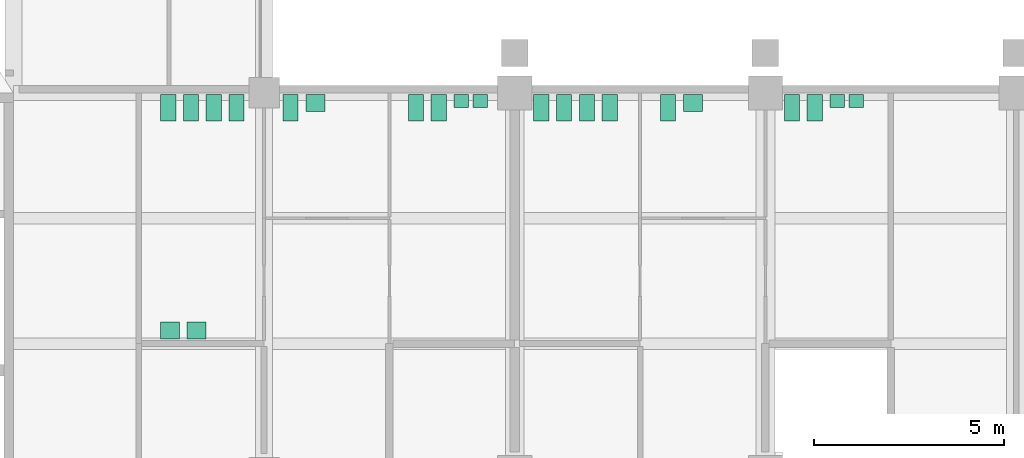
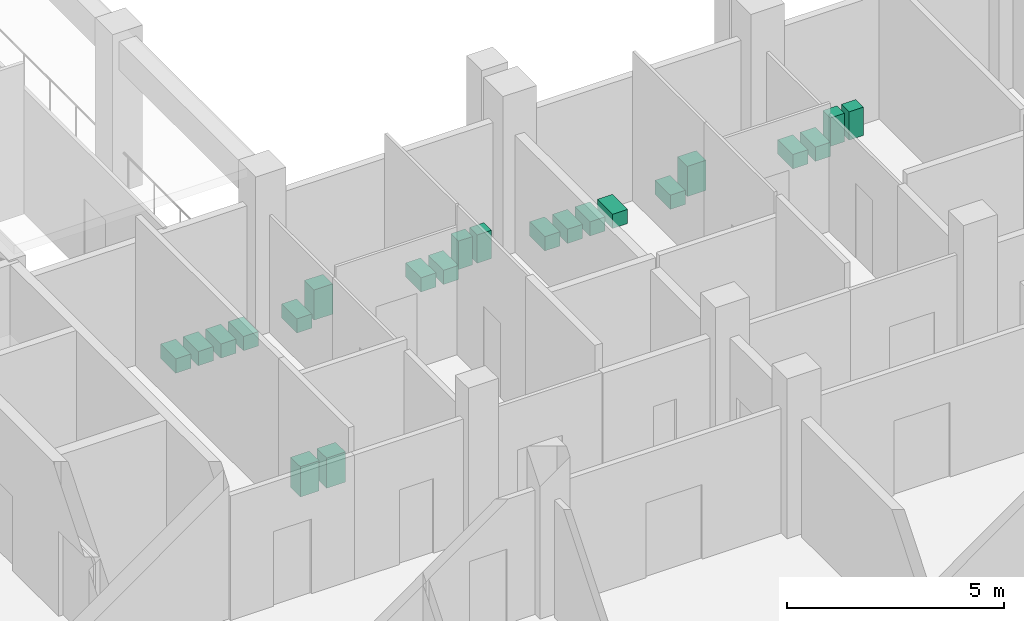
# One storey, part 87 of 87: 22 sanitary terminals.
"""IFC4 building model written with IfcOpenShell, lengths in metres."""

import ifcopenshell
import ifcopenshell.guid

model = None  # the IFC model being written
_history = None  # IfcOwnerHistory: only IFC2X3 demands one
_inside = {}  # id of a spatial element -> (the spatial element, [elements in it])
_under = {}  # id of a project, library or spatial element -> (it, [spatial elements below it])
_declared = {}  # id of a project -> (the project, [libraries it declares])
_typed = {}  # id of a type object -> (the type object, [elements of that type])
_made_of = {}  # id of a material, layer set ... -> (it, [elements and type objects made of it])


def new_model(schema):
    """Start an empty IFC model of exactly this schema.

    Asked for "IFC4X3", IfcOpenShell would pick the latest addendum, in which some entities
    have other attributes; the version numbers below select the first issue.
    IFC2X3 requires an IfcOwnerHistory on every rooted entity: one is made here for all.
    """
    global model, _history
    if schema == "IFC4X3":
        model = ifcopenshell.file(schema_version=(4, 3, 0, 0))
    else:
        model = ifcopenshell.file(schema=schema)
    _inside.clear()
    _under.clear()
    _declared.clear()
    _typed.clear()
    _made_of.clear()
    _history = None
    if model.schema == "IFC2X3":
        org = make("IfcOrganization", Name="unknown")
        user = make(
            "IfcPersonAndOrganization",
            ThePerson=make("IfcPerson", FamilyName="unknown"),
            TheOrganization=org,
        )
        app = make(
            "IfcApplication",
            ApplicationDeveloper=org,
            Version="unknown",
            ApplicationFullName="unknown",
            ApplicationIdentifier="unknown",
        )
        _history = make(
            "IfcOwnerHistory",
            OwningUser=user,
            OwningApplication=app,
            ChangeAction="ADDED",
            CreationDate=0,
        )
    return model


def make(cls, **values):
    """One entity of the class cls with the attributes given. An attribute that is None is left unset."""
    return model.create_entity(
        cls, **{name: value for name, value in values.items() if value is not None}
    )


def rooted(cls, **values):
    """An entity with a GlobalId (a new one), such as an element, a storey or a relation."""
    return make(cls, GlobalId=ifcopenshell.guid.new(), OwnerHistory=_history, **values)


def si_unit(unit_type, name, prefix=None):
    """IfcSIUnit, for example si_unit("LENGTHUNIT", "METRE", prefix="MILLI")."""
    return make("IfcSIUnit", UnitType=unit_type, Prefix=prefix, Name=name)


def assignment(units):
    """IfcUnitAssignment: the units of a project."""
    return None if units is None else make("IfcUnitAssignment", Units=units)


def point(xyz):
    """IfcCartesianPoint."""
    return None if xyz is None else make("IfcCartesianPoint", Coordinates=xyz)


def direction(xyz):
    """IfcDirection."""
    return None if xyz is None else make("IfcDirection", DirectionRatios=xyz)


def frame(location, z_axis=None, x_axis=None):
    """IfcAxis2Placement3D, a coordinate frame: its origin and axes. An axis left out is left unset."""
    return make(
        "IfcAxis2Placement3D",
        Location=point(location),
        Axis=direction(z_axis),
        RefDirection=direction(x_axis),
    )


def frame_2d(location, x_axis=None):
    """IfcAxis2Placement2D, a coordinate frame in the plane: its origin and x axis."""
    return make(
        "IfcAxis2Placement2D", Location=point(location), RefDirection=direction(x_axis)
    )


def origin():
    """The frame at (0, 0, 0) with its axes left unset."""
    return frame((0.0, 0.0, 0.0))


def origin_2d():
    """The frame at (0, 0) in the plane with its x axis left unset."""
    return frame_2d((0.0, 0.0))


def place(relative_to, where):
    """IfcLocalPlacement: puts the frame where relative to a parent placement (None: the world)."""
    return make(
        "IfcLocalPlacement", PlacementRelTo=relative_to, RelativePlacement=where
    )


def context(
    kind, dimensions, precision=None, world=None, true_north=None, identifier=None
):
    """IfcGeometricRepresentationContext, for example the 3D "Model" context."""
    return make(
        "IfcGeometricRepresentationContext",
        ContextIdentifier=identifier,
        ContextType=kind,
        CoordinateSpaceDimension=dimensions,
        Precision=precision,
        WorldCoordinateSystem=world,
        TrueNorth=true_north,
    )


def subcontext(parent, identifier, kind, view, scale=None):
    """IfcGeometricRepresentationSubContext, for example "Body" below "Model"."""
    return make(
        "IfcGeometricRepresentationSubContext",
        ContextIdentifier=identifier,
        ContextType=kind,
        ParentContext=parent,
        TargetScale=scale,
        TargetView=view,
    )


def project(units=None, contexts=None):
    """IfcProject with its units and contexts."""
    return rooted(
        "IfcProject",
        Name="project",
        RepresentationContexts=contexts,
        UnitsInContext=assignment(units),
    )


def spatial(cls, under=None, at=None, **own):
    """A site, building, storey or space (cls), placed at a placement, below another one or the project."""
    s = rooted(cls, ObjectPlacement=at, **own)
    if under is not None:
        _under.setdefault(under.id(), (under, []))[1].append(s)
    return s


def profile(cls, at=None, kind="AREA", **sizes):
    """A parametric profile (cls). Its sizes go by their IFC names, for example OverallWidth=200.0."""
    return make(cls, ProfileType=kind, Position=at, **sizes)


def rectangle(**sizes):
    """IfcRectangleProfileDef."""
    return profile("IfcRectangleProfileDef", **sizes)


def extrude(swept, where, along, depth):
    """IfcExtrudedAreaSolid: the profile swept, set in the frame where, extruded along a direction by depth."""
    return make(
        "IfcExtrudedAreaSolid",
        SweptArea=swept,
        Position=where,
        ExtrudedDirection=direction(along),
        Depth=depth,
    )


def shape(context_of_items, identifier, shape_type, items):
    """IfcShapeRepresentation: the items that make up one representation, for example the "Body"."""
    return make(
        "IfcShapeRepresentation",
        ContextOfItems=context_of_items,
        RepresentationIdentifier=identifier,
        RepresentationType=shape_type,
        Items=items,
    )


def made_of(thing, what):
    """Note that an element or type object is made of a material, layer set ...; save() writes the relation."""
    if what is not None:
        _made_of.setdefault(what.id(), (what, []))[1].append(thing)
    return thing


def element(
    cls,
    number,
    at=None,
    inside=None,
    cuts=None,
    type_object=None,
    material=None,
    context=None,
    identifier="Body",
    shape_type=None,
    held_by="IfcProductDefinitionShape",
    body=None,
    shapes=None,
    **own,
):
    """One element of the class cls, such as IfcWall. Its Tag is "e" and its number.

    at: its placement. inside: the storey or other place that contains it. cuts: it is an
    opening in that element (IfcRelVoidsElement). A single representation is given by context,
    identifier, shape_type and body (its items); several are given by shapes. held_by: the class
    of the entity that holds the representations. save() writes the other relations.
    """
    e = rooted(cls, Tag="e%d" % number, ObjectPlacement=at, **own)
    if body is not None:
        shapes = [shape(context, identifier, shape_type, body)]
    if shapes is not None:
        e.Representation = make(held_by, Representations=shapes)
    if inside is not None:
        _inside.setdefault(inside.id(), (inside, []))[1].append(e)
    if cuts is not None:
        rooted(
            "IfcRelVoidsElement", RelatingBuildingElement=cuts, RelatedOpeningElement=e
        )
    if type_object is not None:
        _typed.setdefault(type_object.id(), (type_object, []))[1].append(e)
    return made_of(e, material)


def aggregate(whole, parts):
    """IfcRelAggregates: a whole, such as a stair, and the parts it consists of."""
    return rooted("IfcRelAggregates", RelatingObject=whole, RelatedObjects=parts)


def save(model, path):
    """Write the relations noted so far, then the file.

    IfcRelAggregates (storeys below a building ...), IfcRelContainedInSpatialStructure (elements
    in a storey), IfcRelDefinesByType, IfcRelAssociatesMaterial and IfcRelDeclares: one each for
    every whole, place, type object, material and project.
    """
    for whole, parts in _under.values():
        aggregate(whole, parts)
    for where, things in _inside.values():
        rooted(
            "IfcRelContainedInSpatialStructure",
            RelatedElements=things,
            RelatingStructure=where,
        )
    for kind, things in _typed.values():
        rooted("IfcRelDefinesByType", RelatedObjects=things, RelatingType=kind)
    for what, things in _made_of.values():
        rooted("IfcRelAssociatesMaterial", RelatedObjects=things, RelatingMaterial=what)
    for by, libraries in _declared.values():
        rooted("IfcRelDeclares", RelatingContext=by, RelatedDefinitions=libraries)
    model.write(path)


model = new_model("IFC4")

# Units and contexts
model_context = context("Model", 3, precision=1e-05, world=origin(), true_north=direction((0.0, 1.0)))
body_context = subcontext(model_context, "Body", "Model", "MODEL_VIEW")
ifc_project = project(units=[si_unit("LENGTHUNIT", "METRE"), si_unit("AREAUNIT", "SQUARE_METRE"), si_unit("VOLUMEUNIT", "CUBIC_METRE"), si_unit("PLANEANGLEUNIT", "RADIAN"), si_unit("MASSUNIT", "GRAM", prefix="KILO")], contexts=[model_context])

# Site, building, storey
site_placement = place(None, origin())
site = spatial("IfcSite", under=ifc_project, at=site_placement, CompositionType="ELEMENT")
building_placement = place(site_placement, origin())
building = spatial("IfcBuilding", under=site, at=building_placement, Name="Lantern Court Research Institute", CompositionType="ELEMENT")
storey_placement = place(building_placement, frame((0.0, 0.0, 5.39990234375)))
storey = spatial("IfcBuildingStorey", under=building, at=storey_placement, Name="L01", CompositionType="ELEMENT", Elevation=5.39990234375)

# Sanitary terminals
for number, where, z_axis, x_axis, name in (
    (1, (43.675048828125, 22.7099609375, 0.000244140625), (0.0, 0.0, 1.0), (1.0, 0.0, 0.0), "WC pan W1.09"),
    (2, (44.27490234375, 22.7099609375, 0.000244140625), (0.0, 0.0, 1.0), (1.0, 0.0, 0.0), "WC pan W1.09"),
    (3, (44.875, 22.7099609375, 0.000244140625), (0.0, 0.0, 1.0), (1.0, 0.0, 0.0), "WC pan W1.09"),
    (4, (45.47509765625, 22.7099609375, 0.000244140625), (0.0, 0.0, 1.0), (1.0, 0.0, 0.0), "WC pan W1.09"),
):
    element("IfcSanitaryTerminal", number, at=place(storey_placement, frame(where, z_axis=z_axis, x_axis=x_axis)), inside=storey, Name=name, PredefinedType="TOILETPAN", context=body_context, shape_type="SweptSolid", body=[
        extrude(rectangle(XDim=0.39990234375, YDim=0.699951171875, at=origin_2d()), origin(), (0.0, 0.0, 1.0), 0.39990234375),
    ])
for number, where, z_axis, x_axis, name in (
    (5, (43.72509765625, 16.840087890625, 0.0), (0.0, 0.0, 1.0), (1.0, 0.0, 0.0), "Wash basin W1.09"),
    (6, (44.425048828125, 16.840087890625, 0.0), (0.0, 0.0, 1.0), (1.0, 0.0, 0.0), "Wash basin W1.09"),
):
    element("IfcSanitaryTerminal", number, at=place(storey_placement, frame(where, z_axis=z_axis, x_axis=x_axis)), inside=storey, Name=name, PredefinedType="WASHHANDBASIN", context=body_context, shape_type="SweptSolid", body=[
        extrude(rectangle(XDim=0.5, YDim=0.449951171875, at=origin_2d()), origin(), (0.0, 0.0, 1.0), 0.85009765625),
    ])
sanitary_terminal_1_placement = place(storey_placement, frame((46.89990234375, 22.7099609375, 0.000244140625), z_axis=(0.0, 0.0, 1.0), x_axis=(1.0, 0.0, 0.0)))
element("IfcSanitaryTerminal", 7, at=sanitary_terminal_1_placement, inside=storey, Name="WC pan W1.11", PredefinedType="TOILETPAN", context=body_context, shape_type="SweptSolid", body=[
    extrude(rectangle(XDim=0.39990234375, YDim=0.699951171875, at=origin_2d()), origin(), (0.0, 0.0, 1.0), 0.39990234375),
])
sanitary_terminal_2_placement = place(storey_placement, frame((47.550048828125, 22.8349609375, 0.0), z_axis=(0.0, 0.0, 1.0), x_axis=(1.0, 0.0, 0.0)))
element("IfcSanitaryTerminal", 8, at=sanitary_terminal_2_placement, inside=storey, Name="Wash basin W1.11", PredefinedType="WASHHANDBASIN", context=body_context, shape_type="SweptSolid", body=[
    extrude(rectangle(XDim=0.5, YDim=0.449951171875, at=origin_2d()), origin(), (0.0, 0.0, 1.0), 0.85009765625),
])
for number, where, z_axis, x_axis, name in (
    (9, (50.199951171875, 22.7099609375, 0.000244140625), (0.0, 0.0, 1.0), (1.0, 0.0, 0.0), "WC pan W1.13"),
    (10, (50.800048828125, 22.7099609375, 0.000244140625), (0.0, 0.0, 1.0), (1.0, 0.0, 0.0), "WC pan W1.13"),
):
    element("IfcSanitaryTerminal", number, at=place(storey_placement, frame(where, z_axis=z_axis, x_axis=x_axis)), inside=storey, Name=name, PredefinedType="TOILETPAN", context=body_context, shape_type="SweptSolid", body=[
        extrude(rectangle(XDim=0.39990234375, YDim=0.699951171875, at=origin_2d()), origin(), (0.0, 0.0, 1.0), 0.39990234375),
    ])
for number, where, z_axis, x_axis, name in (
    (11, (51.389892578125, 22.885009765625, 0.0), (0.0, 0.0, 1.0), (1.0, 0.0, 0.0), "Urinal W1.13"),
    (12, (51.889892578125, 22.885009765625, 0.0), (0.0, 0.0, 1.0), (1.0, 0.0, 0.0), "Urinal W1.13"),
):
    element("IfcSanitaryTerminal", number, at=place(storey_placement, frame(where, z_axis=z_axis, x_axis=x_axis)), inside=storey, Name=name, PredefinedType="URINAL", context=body_context, shape_type="SweptSolid", body=[
        extrude(rectangle(XDim=0.3798828125, YDim=0.35009765625, at=origin_2d()), origin(), (0.0, 0.0, 1.0), 0.800048828125),
    ])
for number, where, z_axis, x_axis, name in (
    (13, (53.5, 22.7099609375, 0.000244140625), (0.0, 0.0, 1.0), (1.0, 0.0, 0.0), "WC pan T1.03"),
    (14, (54.10009765625, 22.7099609375, 0.000244140625), (0.0, 0.0, 1.0), (1.0, 0.0, 0.0), "WC pan T1.03"),
    (15, (54.699951171875, 22.7099609375, 0.000244140625), (0.0, 0.0, 1.0), (1.0, 0.0, 0.0), "WC pan T1.03"),
    (16, (55.300048828125, 22.7099609375, 0.000244140625), (0.0, 0.0, 1.0), (1.0, 0.0, 0.0), "WC pan T1.03"),
    (17, (56.83740234375, 22.7099609375, 0.000244140625), (0.0, 0.0, 1.0), (1.0, 0.0, 0.0), "WC pan T1.05"),
):
    element("IfcSanitaryTerminal", number, at=place(storey_placement, frame(where, z_axis=z_axis, x_axis=x_axis)), inside=storey, Name=name, PredefinedType="TOILETPAN", context=body_context, shape_type="SweptSolid", body=[
        extrude(rectangle(XDim=0.39990234375, YDim=0.699951171875, at=origin_2d()), origin(), (0.0, 0.0, 1.0), 0.39990234375),
    ])
sanitary_terminal_3_placement = place(storey_placement, frame((57.487548828125, 22.8349609375, 0.0), z_axis=(0.0, 0.0, 1.0), x_axis=(1.0, 0.0, 0.0)))
element("IfcSanitaryTerminal", 18, at=sanitary_terminal_3_placement, inside=storey, Name="Wash basin T1.05", PredefinedType="WASHHANDBASIN", context=body_context, shape_type="SweptSolid", body=[
    extrude(rectangle(XDim=0.5, YDim=0.449951171875, at=origin_2d()), origin(), (0.0, 0.0, 1.0), 0.85009765625),
])
for number, where, z_axis, x_axis, name in (
    (19, (60.10009765625, 22.7099609375, 0.000244140625), (0.0, 0.0, 1.0), (1.0, 0.0, 0.0), "WC pan T1.07"),
    (20, (60.699951171875, 22.7099609375, 0.000244140625), (0.0, 0.0, 1.0), (1.0, 0.0, 0.0), "WC pan T1.07"),
):
    element("IfcSanitaryTerminal", number, at=place(storey_placement, frame(where, z_axis=z_axis, x_axis=x_axis)), inside=storey, Name=name, PredefinedType="TOILETPAN", context=body_context, shape_type="SweptSolid", body=[
        extrude(rectangle(XDim=0.39990234375, YDim=0.699951171875, at=origin_2d()), origin(), (0.0, 0.0, 1.0), 0.39990234375),
    ])
for number, where, z_axis, x_axis, name in (
    (21, (61.2900390625, 22.885009765625, 0.0), (0.0, 0.0, 1.0), (1.0, 0.0, 0.0), "Urinal T1.07"),
    (22, (61.7900390625, 22.885009765625, 0.0), (0.0, 0.0, 1.0), (1.0, 0.0, 0.0), "Urinal T1.07"),
):
    element("IfcSanitaryTerminal", number, at=place(storey_placement, frame(where, z_axis=z_axis, x_axis=x_axis)), inside=storey, Name=name, PredefinedType="URINAL", context=body_context, shape_type="SweptSolid", body=[
        extrude(rectangle(XDim=0.3798828125, YDim=0.35009765625, at=origin_2d()), origin(), (0.0, 0.0, 1.0), 0.800048828125),
    ])

save(model, "model.ifc")
